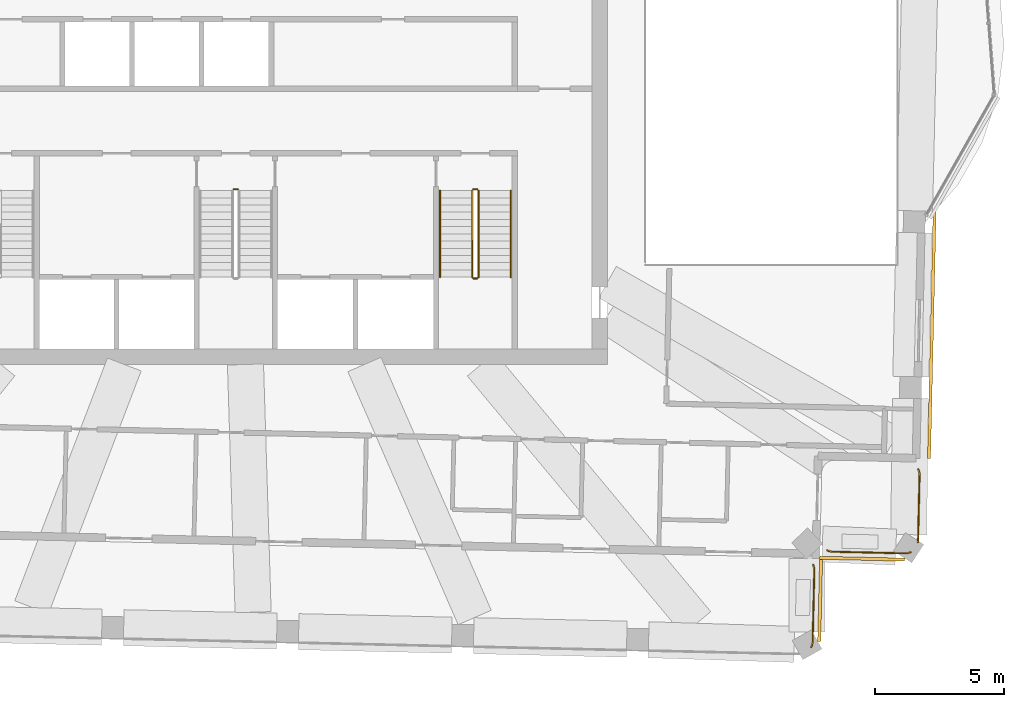
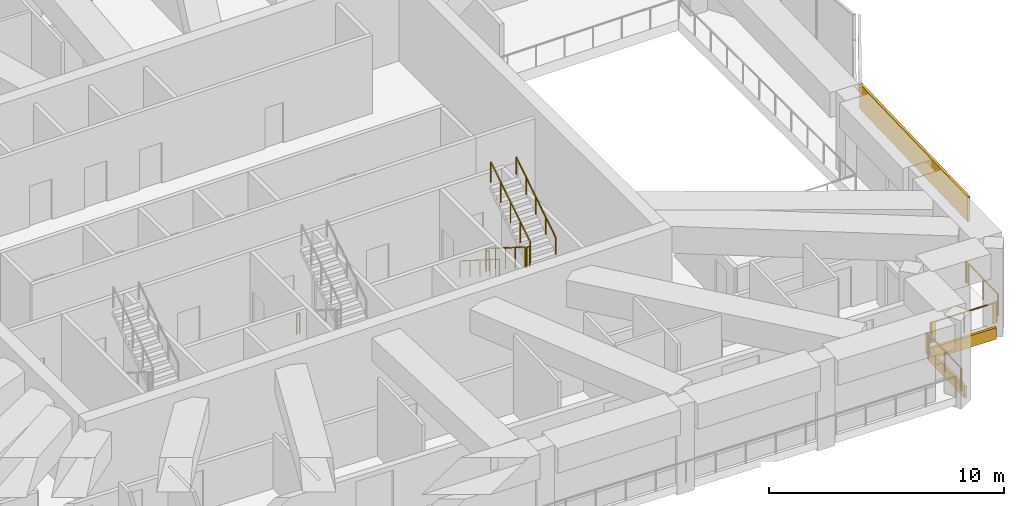
# One storey, part 15 of 17: 10 railings, 3 coverings.
"""IFC4 building model written with IfcOpenShell, lengths in metres."""

from ifc_helpers import new_model, si_unit, direction, frame, frame_2d, origin, origin_2d, place, context, subcontext, project, spatial, rectangle, circle, extrude, material, layer, layer_set, type_object, element, save


model = new_model("IFC4")

# Units and contexts
model_context = context("Model", 3, precision=1e-05, world=origin(), true_north=direction((0.0, 1.0)))
body_context = subcontext(model_context, "Body", "Model", "MODEL_VIEW")
ifc_project = project(units=[si_unit("LENGTHUNIT", "METRE"), si_unit("AREAUNIT", "SQUARE_METRE"), si_unit("VOLUMEUNIT", "CUBIC_METRE"), si_unit("PLANEANGLEUNIT", "RADIAN"), si_unit("MASSUNIT", "GRAM", prefix="KILO")], contexts=[model_context])

# Site, building, storey
site_placement = place(None, origin())
site = spatial("IfcSite", under=ifc_project, at=site_placement, CompositionType="ELEMENT")
building_placement = place(site_placement, origin())
building = spatial("IfcBuilding", under=site, at=building_placement, Name="Mangrove Gate Tower", CompositionType="ELEMENT")
storey_placement = place(building_placement, frame((0.0, 0.0, 337.89990234375)))
storey = spatial("IfcBuildingStorey", under=building, at=storey_placement, Name="L86", CompositionType="ELEMENT", Elevation=337.89990234375)

# Railings
ifc_material_1 = material(Name="Stainless steel grade 316 with laminated glass infill", Category="steel")
railing_type_1 = type_object("IfcRailingType", Name="Balcony guard 1100", PredefinedType="GUARDRAIL", material=ifc_material_1)
railing_1_placement = place(storey_placement, frame((26.162109375, -18.68505859375, 0.0)))
element("IfcRailing", 1, at=railing_1_placement, inside=storey, type_object=railing_type_1, Name="GUARD L86 T2.1", PredefinedType="GUARDRAIL", context=body_context, shape_type="SweptSolid", body=[
    extrude(rectangle(XDim=0.048095703125, YDim=0.048095703125, at=origin_2d()), frame((0.0, 0.0, 1.076171875), z_axis=(-0.916361402872, -0.400352069216, 0.0), x_axis=(0.400352069216, -0.916361402872, 0.0)), (0.0, 0.0, 1.0), 0.02734375),
    extrude(rectangle(XDim=0.048095703125, YDim=0.048095703125, at=origin_2d()), frame((-0.025146484375, -0.010986328125, 1.076171875), z_axis=(-0.947192919233, -0.320664269532, 0.0), x_axis=(0.320664269532, -0.947192919233, 0.0)), (0.0, 0.0, 1.0), 0.049560546875),
    extrude(rectangle(XDim=0.048095703125, YDim=0.048095703125, at=origin_2d()), frame((-0.072021484375, -0.02685546875, 1.076171875), z_axis=(-0.974889210585, -0.222690428814, 0.0), x_axis=(0.222690428814, -0.974889210585, 0.0)), (0.0, 0.0, 1.0), 0.04931640625),
    extrude(rectangle(XDim=0.048095703125, YDim=0.048095703125, at=origin_2d()), frame((-0.1201171875, -0.037841796875, 1.076171875), z_axis=(-0.992043715201, -0.125893872487, 0.0), x_axis=(0.125893872487, -0.992043715201, 0.0)), (0.0, 0.0, 1.0), 0.048583984375),
    extrude(rectangle(XDim=0.048095703125, YDim=0.048095703125, at=origin_2d()), frame((-0.168212890625, -0.0439453125, 1.076171875), z_axis=(-0.99980005998, -0.0199960012, 0.0), x_axis=(0.0199960012, -0.99980005998, 0.0)), (0.0, 0.0, 1.0), 0.048828125),
    extrude(rectangle(XDim=0.048095703125, YDim=0.048095703125, at=origin_2d()), frame((-0.217041015625, -0.044921875, 1.076171875), z_axis=(-0.999747073974, 0.022489732765, 0.0), x_axis=(-0.022489732765, -0.999747073974, 0.0)), (0.0, 0.0, 1.0), 2.80078125),
    extrude(rectangle(XDim=0.048095703125, YDim=0.048095703125, at=origin_2d()), frame((-3.01708984375, 0.01806640625, 1.076171875), z_axis=(-0.996846739125, 0.079350984209, 0.0), x_axis=(-0.079350984209, -0.996846739125, 0.0)), (0.0, 0.0, 1.0), 0.04931640625),
    extrude(rectangle(XDim=0.048095703125, YDim=0.048095703125, at=origin_2d()), frame((-3.066162109375, 0.02197265625, 1.076171875), z_axis=(-0.986120615914, 0.166030511863, 0.0), x_axis=(-0.166030511863, -0.986120615914, 0.0)), (0.0, 0.0, 1.0), 0.048583984375),
    extrude(rectangle(XDim=0.048095703125, YDim=0.048095703125, at=origin_2d()), frame((-3.114013671875, 0.030029296875, 1.076171875), z_axis=(-0.964301134924, 0.264808083684, 0.0), x_axis=(-0.264808083684, -0.964301134924, 0.0)), (0.0, 0.0, 1.0), 0.048828125),
    extrude(rectangle(XDim=0.048095703125, YDim=0.048095703125, at=origin_2d()), frame((-3.1611328125, 0.04296875, 1.076171875), z_axis=(-0.930510652004, 0.366264831108, 0.0), x_axis=(-0.366264831108, -0.930510652004, 0.0)), (0.0, 0.0, 1.0), 0.04931640625),
    extrude(rectangle(XDim=0.048095703125, YDim=0.048095703125, at=origin_2d()), frame((-3.20703125, 0.06103515625, 1.076171875), z_axis=(-0.903022510302, 0.429593233056, 0.0), x_axis=(-0.429593233056, -0.903022510302, 0.0)), (0.0, 0.0, 1.0), 0.02783203125),
    extrude(rectangle(XDim=0.0419921875, YDim=0.0419921875, at=origin_2d()), origin(), (0.0, 0.0, 1.0), 1.052001953125),
    extrude(rectangle(XDim=0.0419921875, YDim=0.0419921875, at=origin_2d()), frame((-0.025146484375, -0.010986328125, 0.0)), (0.0, 0.0, 1.0), 1.052001953125),
    extrude(rectangle(XDim=0.0419921875, YDim=0.0419921875, at=origin_2d()), frame((-0.072021484375, -0.02685546875, 0.0)), (0.0, 0.0, 1.0), 1.052001953125),
    extrude(rectangle(XDim=0.0419921875, YDim=0.0419921875, at=origin_2d()), frame((-0.1201171875, -0.037841796875, 0.0)), (0.0, 0.0, 1.0), 1.052001953125),
    extrude(rectangle(XDim=0.0419921875, YDim=0.0419921875, at=origin_2d()), frame((-0.168212890625, -0.0439453125, 0.0)), (0.0, 0.0, 1.0), 1.052001953125),
    extrude(rectangle(XDim=0.0419921875, YDim=0.0419921875, at=origin_2d()), frame((-0.217041015625, -0.044921875, 0.0)), (0.0, 0.0, 1.0), 1.052001953125),
    extrude(rectangle(XDim=0.0419921875, YDim=0.0419921875, at=origin_2d()), frame((-1.6171875, -0.013427734375, 0.0)), (0.0, 0.0, 1.0), 1.052001953125),
    extrude(rectangle(XDim=0.0419921875, YDim=0.0419921875, at=origin_2d()), frame((-3.01708984375, 0.01806640625, 0.0)), (0.0, 0.0, 1.0), 1.052001953125),
    extrude(rectangle(XDim=0.0419921875, YDim=0.0419921875, at=origin_2d()), frame((-3.066162109375, 0.02197265625, 0.0)), (0.0, 0.0, 1.0), 1.052001953125),
    extrude(rectangle(XDim=0.0419921875, YDim=0.0419921875, at=origin_2d()), frame((-3.114013671875, 0.030029296875, 0.0)), (0.0, 0.0, 1.0), 1.052001953125),
    extrude(rectangle(XDim=0.0419921875, YDim=0.0419921875, at=origin_2d()), frame((-3.1611328125, 0.04296875, 0.0)), (0.0, 0.0, 1.0), 1.052001953125),
    extrude(rectangle(XDim=0.0419921875, YDim=0.0419921875, at=origin_2d()), frame((-3.20703125, 0.06103515625, 0.0)), (0.0, 0.0, 1.0), 1.052001953125),
    extrude(rectangle(XDim=0.0419921875, YDim=0.0419921875, at=origin_2d()), frame((-3.232177734375, 0.072998046875, 0.0)), (0.0, 0.0, 1.0), 1.052001953125),
])
railing_2_placement = place(storey_placement, frame((26.468994140625, -15.47509765625, 0.0)))
element("IfcRailing", 2, at=railing_2_placement, inside=storey, type_object=railing_type_1, Name="GUARD L86 T2.2", PredefinedType="GUARDRAIL", context=body_context, shape_type="SweptSolid", body=[
    extrude(rectangle(XDim=0.048095703125, YDim=0.048095703125, at=origin_2d()), frame((0.0, 0.0, 1.076171875), z_axis=(0.403640206576, -0.914917801573, 0.0), x_axis=(0.914917801573, 0.403640206576, 0.0)), (0.0, 0.0, 1.0), 0.027099609375),
    extrude(rectangle(XDim=0.048095703125, YDim=0.048095703125, at=origin_2d()), frame((0.010986328125, -0.02490234375, 1.076171875), z_axis=(0.323572178119, -0.94620349056, 0.0), x_axis=(0.94620349056, 0.323572178119, 0.0)), (0.0, 0.0, 1.0), 0.0498046875),
    extrude(rectangle(XDim=0.048095703125, YDim=0.048095703125, at=origin_2d()), frame((0.027099609375, -0.072021484375, 1.076171875), z_axis=(0.204751888661, -0.978813906772, 0.0), x_axis=(0.978813906772, 0.204751888661, 0.0)), (0.0, 0.0, 1.0), 0.048828125),
    extrude(rectangle(XDim=0.048095703125, YDim=0.048095703125, at=origin_2d()), frame((0.037109375, -0.119873046875, 1.076171875), z_axis=(0.120933275731, -0.992660638295, 0.0), x_axis=(0.992660638295, 0.120933275731, 0.0)), (0.0, 0.0, 1.0), 0.04833984375),
    extrude(rectangle(XDim=0.048095703125, YDim=0.048095703125, at=origin_2d()), frame((0.04296875, -0.16796875, 1.076171875), z_axis=(0.039968038349, -0.999200958722, 0.0), x_axis=(0.999200958722, 0.039968038349, 0.0)), (0.0, 0.0, 1.0), 0.048828125),
    extrude(rectangle(XDim=0.048095703125, YDim=0.048095703125, at=origin_2d()), frame((0.044921875, -0.216796875, 1.076171875), z_axis=(-0.022684443653, -0.9997426749, 0.0), x_axis=(0.9997426749, -0.022684443653, 0.0)), (0.0, 0.0, 1.0), 2.55078125),
    extrude(rectangle(XDim=0.048095703125, YDim=0.048095703125, at=origin_2d()), frame((-0.012939453125, -2.766845703125, 1.076171875), z_axis=(-0.084276225487, -0.996442430759, 0.0), x_axis=(0.996442430759, -0.084276225487, 0.0)), (0.0, 0.0, 1.0), 0.04931640625),
    extrude(rectangle(XDim=0.0419921875, YDim=0.0419921875, at=origin_2d()), origin(), (0.0, 0.0, 1.0), 1.052001953125),
    extrude(rectangle(XDim=0.0419921875, YDim=0.0419921875, at=origin_2d()), frame((0.010986328125, -0.02490234375, 0.0)), (0.0, 0.0, 1.0), 1.052001953125),
    extrude(rectangle(XDim=0.0419921875, YDim=0.0419921875, at=origin_2d()), frame((0.027099609375, -0.072021484375, 0.0)), (0.0, 0.0, 1.0), 1.052001953125),
    extrude(rectangle(XDim=0.0419921875, YDim=0.0419921875, at=origin_2d()), frame((0.037109375, -0.119873046875, 0.0)), (0.0, 0.0, 1.0), 1.052001953125),
    extrude(rectangle(XDim=0.0419921875, YDim=0.0419921875, at=origin_2d()), frame((0.04296875, -0.16796875, 0.0)), (0.0, 0.0, 1.0), 1.052001953125),
    extrude(rectangle(XDim=0.0419921875, YDim=0.0419921875, at=origin_2d()), frame((0.044921875, -0.216796875, 0.0)), (0.0, 0.0, 1.0), 1.052001953125),
    extrude(rectangle(XDim=0.0419921875, YDim=0.0419921875, at=origin_2d()), frame((0.01611328125, -1.49169921875, 0.0)), (0.0, 0.0, 1.0), 1.052001953125),
    extrude(rectangle(XDim=0.0419921875, YDim=0.0419921875, at=origin_2d()), frame((-0.012939453125, -2.766845703125, 0.0)), (0.0, 0.0, 1.0), 1.052001953125),
    extrude(rectangle(XDim=0.0419921875, YDim=0.0419921875, at=origin_2d()), frame((-0.01708984375, -2.81591796875, 0.0)), (0.0, 0.0, 1.0), 1.052001953125),
])
railing_3_placement = place(storey_placement, frame((22.384033203125, -19.18310546875, 0.0)))
element("IfcRailing", 3, at=railing_3_placement, inside=storey, type_object=railing_type_1, Name="GUARD L86 T3.5", PredefinedType="GUARDRAIL", context=body_context, shape_type="SweptSolid", body=[
    extrude(rectangle(XDim=0.048095703125, YDim=0.048095703125, at=origin_2d()), frame((0.0, 0.0, 1.076171875), z_axis=(0.403640206576, -0.914917801573, 0.0), x_axis=(0.914917801573, 0.403640206576, 0.0)), (0.0, 0.0, 1.0), 0.027099609375),
    extrude(rectangle(XDim=0.048095703125, YDim=0.048095703125, at=origin_2d()), frame((0.010986328125, -0.02490234375, 1.076171875), z_axis=(0.302793856854, -0.953056074033, 0.0), x_axis=(0.953056074033, 0.302793856854, 0.0)), (0.0, 0.0, 1.0), 0.049072265625),
    extrude(rectangle(XDim=0.048095703125, YDim=0.048095703125, at=origin_2d()), frame((0.02587890625, -0.07177734375, 1.076171875), z_axis=(0.222690428814, -0.974889210585, 0.0), x_axis=(0.974889210585, 0.222690428814, 0.0)), (0.0, 0.0, 1.0), 0.04931640625),
    extrude(rectangle(XDim=0.048095703125, YDim=0.048095703125, at=origin_2d()), frame((0.036865234375, -0.119873046875, 1.076171875), z_axis=(0.123427070371, -0.992353645783, 0.0), x_axis=(0.992353645783, 0.123427070371, 0.0)), (0.0, 0.0, 1.0), 0.049560546875),
    extrude(rectangle(XDim=0.048095703125, YDim=0.048095703125, at=origin_2d()), frame((0.04296875, -0.1689453125, 1.076171875), z_axis=(0.039968038349, -0.999200958722, 0.0), x_axis=(0.999200958722, 0.039968038349, 0.0)), (0.0, 0.0, 1.0), 0.048828125),
    extrude(rectangle(XDim=0.048095703125, YDim=0.048095703125, at=origin_2d()), frame((0.044921875, -0.2177734375, 1.076171875), z_axis=(-0.02290695392, -0.999737601305, 0.0), x_axis=(0.999737601305, -0.02290695392, 0.0)), (0.0, 0.0, 1.0), 2.749755859375),
    extrude(rectangle(XDim=0.048095703125, YDim=0.048095703125, at=origin_2d()), frame((-0.01806640625, -2.966796875, 1.076171875), z_axis=(-0.059595380047, -0.998222615791, 0.0), x_axis=(0.998222615791, -0.059595380047, 0.0)), (0.0, 0.0, 1.0), 0.049072265625),
    extrude(rectangle(XDim=0.048095703125, YDim=0.048095703125, at=origin_2d()), frame((-0.02099609375, -3.015869140625, 1.076171875), z_axis=(-0.184589743724, -0.982815662529, 0.0), x_axis=(0.982815662529, -0.184589743724, 0.0)), (0.0, 0.0, 1.0), 0.048828125),
    extrude(rectangle(XDim=0.048095703125, YDim=0.048095703125, at=origin_2d()), frame((-0.030029296875, -3.06396484375, 1.076171875), z_axis=(-0.266089874363, -0.963948224108, 0.0), x_axis=(0.963948224108, -0.266089874363, 0.0)), (0.0, 0.0, 1.0), 0.048583984375),
    extrude(rectangle(XDim=0.048095703125, YDim=0.048095703125, at=origin_2d()), frame((-0.04296875, -3.11083984375, 1.076171875), z_axis=(-0.347314355824, -0.937748760724, 0.0), x_axis=(0.937748760724, -0.347314355824, 0.0)), (0.0, 0.0, 1.0), 0.04931640625),
    extrude(rectangle(XDim=0.048095703125, YDim=0.048095703125, at=origin_2d()), frame((-0.06005859375, -3.156982421875, 1.076171875), z_axis=(-0.461078797779, -0.887359195726, 0.0), x_axis=(0.887359195726, -0.461078797779, 0.0)), (0.0, 0.0, 1.0), 0.028076171875),
    extrude(rectangle(XDim=0.0419921875, YDim=0.0419921875, at=origin_2d()), origin(), (0.0, 0.0, 1.0), 1.052001953125),
    extrude(rectangle(XDim=0.0419921875, YDim=0.0419921875, at=origin_2d()), frame((0.010986328125, -0.02490234375, 0.0)), (0.0, 0.0, 1.0), 1.052001953125),
    extrude(rectangle(XDim=0.0419921875, YDim=0.0419921875, at=origin_2d()), frame((0.02587890625, -0.07177734375, 0.0)), (0.0, 0.0, 1.0), 1.052001953125),
    extrude(rectangle(XDim=0.0419921875, YDim=0.0419921875, at=origin_2d()), frame((0.036865234375, -0.119873046875, 0.0)), (0.0, 0.0, 1.0), 1.052001953125),
    extrude(rectangle(XDim=0.0419921875, YDim=0.0419921875, at=origin_2d()), frame((0.04296875, -0.1689453125, 0.0)), (0.0, 0.0, 1.0), 1.052001953125),
    extrude(rectangle(XDim=0.0419921875, YDim=0.0419921875, at=origin_2d()), frame((0.044921875, -0.2177734375, 0.0)), (0.0, 0.0, 1.0), 1.052001953125),
    extrude(rectangle(XDim=0.0419921875, YDim=0.0419921875, at=origin_2d()), frame((0.013427734375, -1.59228515625, 0.0)), (0.0, 0.0, 1.0), 1.052001953125),
    extrude(rectangle(XDim=0.0419921875, YDim=0.0419921875, at=origin_2d()), frame((-0.01806640625, -2.966796875, 0.0)), (0.0, 0.0, 1.0), 1.052001953125),
    extrude(rectangle(XDim=0.0419921875, YDim=0.0419921875, at=origin_2d()), frame((-0.02099609375, -3.015869140625, 0.0)), (0.0, 0.0, 1.0), 1.052001953125),
    extrude(rectangle(XDim=0.0419921875, YDim=0.0419921875, at=origin_2d()), frame((-0.030029296875, -3.06396484375, 0.0)), (0.0, 0.0, 1.0), 1.052001953125),
    extrude(rectangle(XDim=0.0419921875, YDim=0.0419921875, at=origin_2d()), frame((-0.04296875, -3.11083984375, 0.0)), (0.0, 0.0, 1.0), 1.052001953125),
    extrude(rectangle(XDim=0.0419921875, YDim=0.0419921875, at=origin_2d()), frame((-0.06005859375, -3.156982421875, 0.0)), (0.0, 0.0, 1.0), 1.052001953125),
    extrude(rectangle(XDim=0.0419921875, YDim=0.0419921875, at=origin_2d()), frame((-0.072998046875, -3.181884765625, 0.0)), (0.0, 0.0, 1.0), 1.052001953125),
])
ifc_material_2 = material(Name="Stainless steel 316", Category="steel")
railing_type_2 = type_object("IfcRailingType", Name="Core stair guard 1100", PredefinedType="GUARDRAIL", material=ifc_material_2)
railing_4_placement = place(storey_placement, frame((-0.10009765625, -4.60009765625, 0.0)))
element("IfcRailing", 4, at=railing_4_placement, inside=storey, type_object=railing_type_2, Name="L86 ST2 stair guard 4", PredefinedType="GUARDRAIL", context=body_context, shape_type="SweptSolid", body=[
    extrude(rectangle(XDim=0.048095703125, YDim=0.048095703125, at=origin_2d()), frame((0.0, 0.0, 1.076171875), z_axis=(1.0, 0.0, 0.0), x_axis=(0.0, 1.0, 0.0)), (0.0, 0.0, 1.0), 0.150146484375),
    extrude(rectangle(XDim=0.0419921875, YDim=0.0419921875, at=origin_2d()), origin(), (0.0, 0.0, 1.0), 1.052001953125),
    extrude(rectangle(XDim=0.0419921875, YDim=0.0419921875, at=origin_2d()), frame((0.150146484375, 0.0, 0.0)), (0.0, 0.0, 1.0), 1.052001953125),
])
railing_5_placement = place(storey_placement, frame((9.14990234375, -4.64990234375, 0.177001953125)))
element("IfcRailing", 5, at=railing_5_placement, inside=storey, type_object=railing_type_2, Name="L86 ST3 stair guard 1", PredefinedType="GUARDRAIL", context=body_context, shape_type="SweptSolid", body=[
    extrude(rectangle(XDim=0.048095703125, YDim=0.048095703125, at=origin_2d()), frame((0.0, 0.0, 1.076171875), z_axis=(0.0, -0.845389635667, 0.534150132366), x_axis=(1.0, 0.0, 0.0)), (0.0, 0.0, 1.0), 3.974609375),
    extrude(rectangle(XDim=0.0419921875, YDim=0.0419921875, at=origin_2d()), origin(), (0.0, 0.0, 1.0), 1.052001953125),
    extrude(rectangle(XDim=0.0419921875, YDim=0.0419921875, at=origin_2d()), frame((0.0, -0.840087890625, 0.53076171875)), (0.0, 0.0, 1.0), 1.052001953125),
    extrude(rectangle(XDim=0.0419921875, YDim=0.0419921875, at=origin_2d()), frame((0.0, -1.68017578125, 1.0615234375)), (0.0, 0.0, 1.0), 1.052001953125),
    extrude(rectangle(XDim=0.0419921875, YDim=0.0419921875, at=origin_2d()), frame((0.0, -2.52001953125, 1.59228515625)), (0.0, 0.0, 1.0), 1.052001953125),
    extrude(rectangle(XDim=0.0419921875, YDim=0.0419921875, at=origin_2d()), frame((0.0, -3.360107421875, 2.123046875)), (0.0, 0.0, 1.0), 1.052001953125),
])
railing_6_placement = place(storey_placement, frame((9.199951171875, -8.06005859375, 2.300048828125)))
element("IfcRailing", 6, at=railing_6_placement, inside=storey, type_object=railing_type_2, Name="L86 ST3 stair guard 2", PredefinedType="GUARDRAIL", context=body_context, shape_type="SweptSolid", body=[
    extrude(rectangle(XDim=0.048095703125, YDim=0.048095703125, at=origin_2d()), frame((0.0, 0.0, 1.076171875), z_axis=(1.0, 0.0, 0.0), x_axis=(0.0, 1.0, 0.0)), (0.0, 0.0, 1.0), 0.150146484375),
    extrude(rectangle(XDim=0.0419921875, YDim=0.0419921875, at=origin_2d()), origin(), (0.0, 0.0, 1.0), 1.052001953125),
    extrude(rectangle(XDim=0.0419921875, YDim=0.0419921875, at=origin_2d()), frame((0.150146484375, 0.0, 0.0)), (0.0, 0.0, 1.0), 1.052001953125),
])
railing_7_placement = place(storey_placement, frame((9.39990234375, -8.010009765625, 2.47705078125)))
element("IfcRailing", 7, at=railing_7_placement, inside=storey, type_object=railing_type_2, Name="L86 ST3 stair guard 3", PredefinedType="GUARDRAIL", context=body_context, shape_type="SweptSolid", body=[
    extrude(rectangle(XDim=0.048095703125, YDim=0.048095703125, at=origin_2d()), frame((0.0, 0.0, 1.076171875), z_axis=(0.0, 0.845389635667, 0.534150132366), x_axis=(-1.0, 0.0, 0.0)), (0.0, 0.0, 1.0), 3.974609375),
    extrude(rectangle(XDim=0.0419921875, YDim=0.0419921875, at=origin_2d()), origin(), (0.0, 0.0, 1.0), 1.052001953125),
    extrude(rectangle(XDim=0.0419921875, YDim=0.0419921875, at=origin_2d()), frame((0.0, 0.840087890625, 0.53076171875)), (0.0, 0.0, 1.0), 1.052001953125),
    extrude(rectangle(XDim=0.0419921875, YDim=0.0419921875, at=origin_2d()), frame((0.0, 1.68017578125, 1.0615234375)), (0.0, 0.0, 1.0), 1.052001953125),
    extrude(rectangle(XDim=0.0419921875, YDim=0.0419921875, at=origin_2d()), frame((0.0, 2.52001953125, 1.59228515625)), (0.0, 0.0, 1.0), 1.052001953125),
    extrude(rectangle(XDim=0.0419921875, YDim=0.0419921875, at=origin_2d()), frame((0.0, 3.360107421875, 2.123046875)), (0.0, 0.0, 1.0), 1.052001953125),
])
railing_8_placement = place(storey_placement, frame((9.199951171875, -4.60009765625, 0.0)))
element("IfcRailing", 8, at=railing_8_placement, inside=storey, type_object=railing_type_2, Name="L86 ST3 stair guard 4", PredefinedType="GUARDRAIL", context=body_context, shape_type="SweptSolid", body=[
    extrude(rectangle(XDim=0.048095703125, YDim=0.048095703125, at=origin_2d()), frame((0.0, 0.0, 1.076171875), z_axis=(1.0, 0.0, 0.0), x_axis=(0.0, 1.0, 0.0)), (0.0, 0.0, 1.0), 0.150146484375),
    extrude(rectangle(XDim=0.0419921875, YDim=0.0419921875, at=origin_2d()), origin(), (0.0, 0.0, 1.0), 1.052001953125),
    extrude(rectangle(XDim=0.0419921875, YDim=0.0419921875, at=origin_2d()), frame((0.150146484375, 0.0, 0.0)), (0.0, 0.0, 1.0), 1.052001953125),
])
ifc_material_3 = material(Name="Stainless steel 316", Category="steel")
railing_type_3 = type_object("IfcRailingType", Name="Core stair handrail 900", PredefinedType="HANDRAIL", material=ifc_material_3)
railing_9_placement = place(storey_placement, frame((7.89990234375, -4.64990234375, 0.177001953125)))
element("IfcRailing", 9, at=railing_9_placement, inside=storey, type_object=railing_type_3, Name="L86 ST3 stair handrail 1", PredefinedType="HANDRAIL", context=body_context, shape_type="SweptSolid", body=[
    extrude(circle(Radius=0.02392578125, at=origin_2d()), frame((0.0, 0.0, 0.8759765625), z_axis=(0.0, -0.845389635667, 0.534150132366), x_axis=(1.0, 0.0, 0.0)), (0.0, 0.0, 1.0), 3.974609375),
    extrude(circle(Radius=0.02099609375, at=origin_2d()), origin(), (0.0, 0.0, 1.0), 0.851806640625),
    extrude(circle(Radius=0.02099609375, at=origin_2d()), frame((0.0, -0.840087890625, 0.53076171875)), (0.0, 0.0, 1.0), 0.851806640625),
    extrude(circle(Radius=0.02099609375, at=origin_2d()), frame((0.0, -1.68017578125, 1.0615234375)), (0.0, 0.0, 1.0), 0.851806640625),
    extrude(circle(Radius=0.02099609375, at=origin_2d()), frame((0.0, -2.52001953125, 1.59228515625)), (0.0, 0.0, 1.0), 0.851806640625),
    extrude(circle(Radius=0.02099609375, at=origin_2d()), frame((0.0, -3.360107421875, 2.123046875)), (0.0, 0.0, 1.0), 0.851806640625),
])
railing_10_placement = place(storey_placement, frame((10.64990234375, -8.010009765625, 2.47705078125)))
element("IfcRailing", 10, at=railing_10_placement, inside=storey, type_object=railing_type_3, Name="L86 ST3 stair handrail 2", PredefinedType="HANDRAIL", context=body_context, shape_type="SweptSolid", body=[
    extrude(circle(Radius=0.02392578125, at=origin_2d()), frame((0.0, 0.0, 0.8759765625), z_axis=(0.0, 0.845389635667, 0.534150132366), x_axis=(-1.0, 0.0, 0.0)), (0.0, 0.0, 1.0), 3.974609375),
    extrude(circle(Radius=0.02099609375, at=origin_2d()), origin(), (0.0, 0.0, 1.0), 0.851806640625),
    extrude(circle(Radius=0.02099609375, at=origin_2d()), frame((0.0, 0.840087890625, 0.53076171875)), (0.0, 0.0, 1.0), 0.851806640625),
    extrude(circle(Radius=0.02099609375, at=origin_2d()), frame((0.0, 1.68017578125, 1.0615234375)), (0.0, 0.0, 1.0), 0.851806640625),
    extrude(circle(Radius=0.02099609375, at=origin_2d()), frame((0.0, 2.52001953125, 1.59228515625)), (0.0, 0.0, 1.0), 0.851806640625),
    extrude(circle(Radius=0.02099609375, at=origin_2d()), frame((0.0, 3.360107421875, 2.123046875)), (0.0, 0.0, 1.0), 0.851806640625),
])

# Coverings
ifc_material_4 = material(Name="Limestone", Category="masonry")
ifc_layer_1 = layer(ifc_material_4, 0.0400390625, Name="Limestone cladding")
ifc_material_5 = material(Name="Stainless steel anchors and cavity", Category="steel")
ifc_layer_2 = layer(ifc_material_5, 0.080078125, Name="Fixing cavity")
ifc_layer_set = layer_set([ifc_layer_1, ifc_layer_2], Name="Joint fascia cladding 120")
covering_type = type_object("IfcCoveringType", Name="Joint fascia cladding 120", PredefinedType="CLADDING", material=ifc_layer_set)
covering_1_placement = place(storey_placement, frame((26.882080078125, -15.050048828125, 2.75), z_axis=(0.0, 0.0, 1.0), x_axis=(0.022668695782, 0.9997430321, 0.0)))
element("IfcCovering", 11, at=covering_1_placement, inside=storey, type_object=covering_type, Name="STONE FASCIA L86 E0.1", PredefinedType="CLADDING", context=body_context, shape_type="SweptSolid", body=[
    extrude(rectangle(XDim=9.574462890625, YDim=0.1201171875, at=frame_2d((4.787109375, 0.0))), origin(), (0.0, 0.0, 1.0), 1.300048828125),
])
covering_2_placement = place(storey_placement, frame((25.93896484375, -18.97607421875, -0.599853515625), z_axis=(0.0, 0.0, 1.0), x_axis=(-0.999747041774, 0.022491164116, 0.0)))
element("IfcCovering", 12, at=covering_2_placement, inside=storey, type_object=covering_type, Name="STONE FASCIA L86 Tcrown02-1.1", PredefinedType="CLADDING", context=body_context, shape_type="SweptSolid", body=[
    extrude(rectangle(XDim=3.2998046875, YDim=0.1201171875, at=frame_2d((1.64990234375, 0.0))), origin(), (0.0, 0.0, 1.0), 0.599853515625),
])
covering_3_placement = place(storey_placement, frame((22.692138671875, -18.962890625, -0.599853515625), z_axis=(0.0, 0.0, 1.0), x_axis=(-0.022931501763, -0.999737038539, 0.0)))
element("IfcCovering", 13, at=covering_3_placement, inside=storey, type_object=covering_type, Name="STONE FASCIA L86 Tcrown03-5.1", PredefinedType="CLADDING", context=body_context, shape_type="SweptSolid", body=[
    extrude(rectangle(XDim=3.19384765625, YDim=0.1201171875, at=frame_2d((1.596923828125, 0.0))), origin(), (0.0, 0.0, 1.0), 0.599853515625),
])

save(model, "model.ifc")
